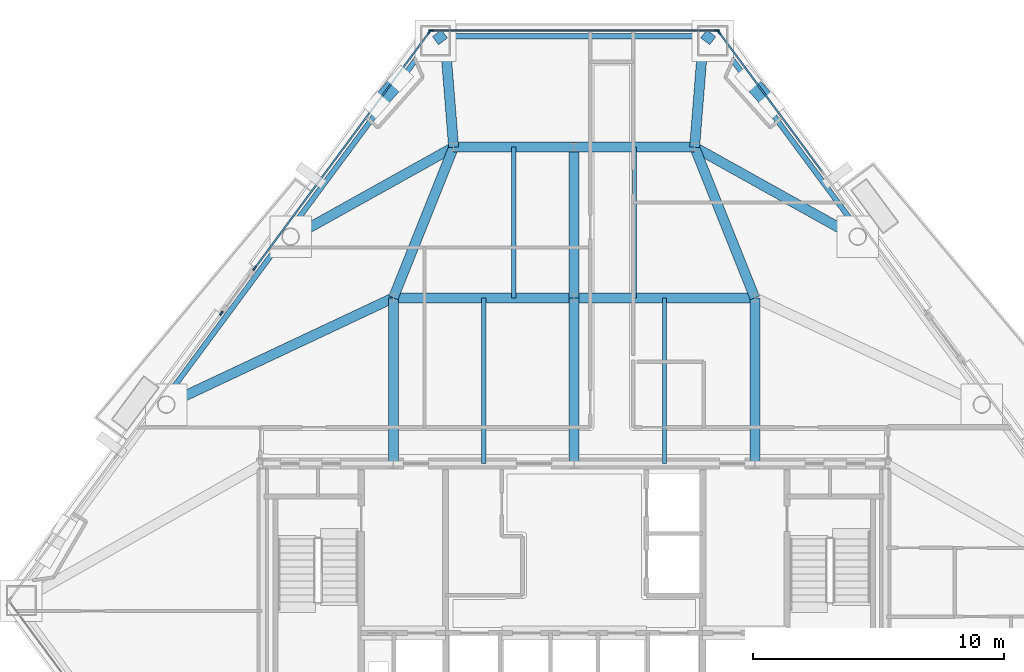
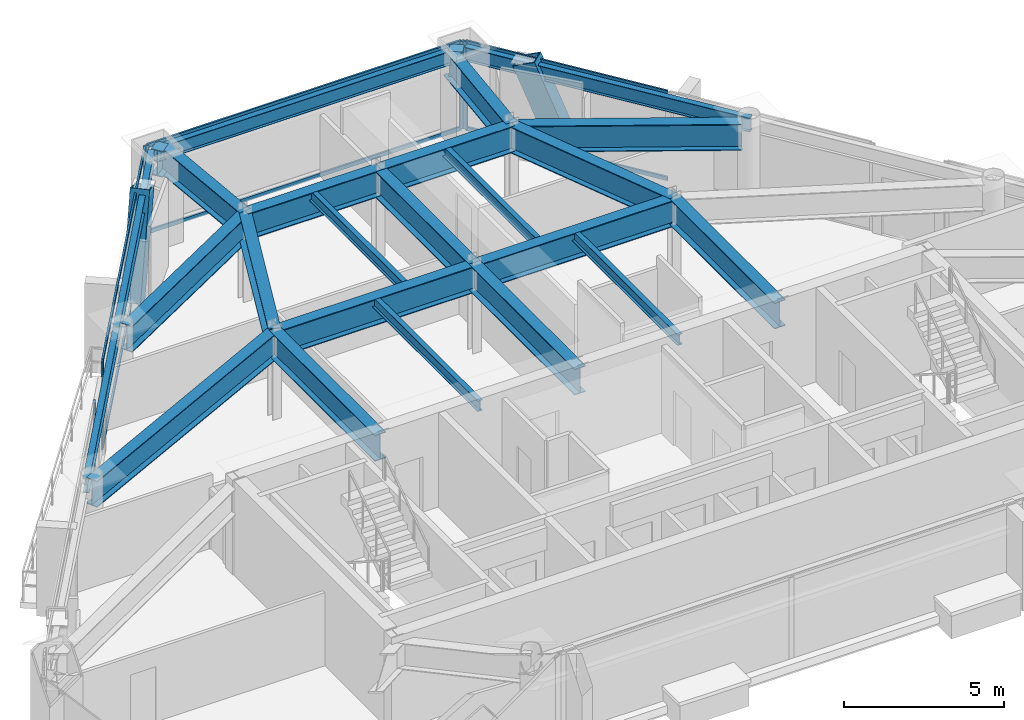
# One storey, part 4 of 11: 25 beams, 14 members, 4 elements without a shape of their own.
"""IFC4 building model written with IfcOpenShell, lengths in metres."""

from ifc_helpers import new_model, si_unit, direction, frame, origin, origin_2d, place, context, subcontext, project, spatial, rectangle, hollow_rectangle, i_section, extrude, material, layer, layer_set, material_profile, profile_set, type_object, element, aggregate, save


model = new_model("IFC4")

# Units and contexts
model_context = context("Model", 3, precision=1e-05, world=origin(), true_north=direction((0.0, 1.0)))
body_context = subcontext(model_context, "Body", "Model", "MODEL_VIEW")
ifc_project = project(units=[si_unit("LENGTHUNIT", "METRE"), si_unit("AREAUNIT", "SQUARE_METRE"), si_unit("VOLUMEUNIT", "CUBIC_METRE"), si_unit("PLANEANGLEUNIT", "RADIAN"), si_unit("MASSUNIT", "GRAM", prefix="KILO")], contexts=[model_context])

# Site, building, storey
site_placement = place(None, origin())
site = spatial("IfcSite", under=ifc_project, at=site_placement, CompositionType="ELEMENT")
building_placement = place(site_placement, origin())
building = spatial("IfcBuilding", under=site, at=building_placement, Name="Talgorran Terracotta Tower", CompositionType="ELEMENT")
storey_placement = place(building_placement, frame((0.0, 0.0, 125.699951171875)))
storey = spatial("IfcBuildingStorey", under=building, at=storey_placement, Name="L32", CompositionType="ELEMENT", Elevation=125.699951171875)

# Beams
ifc_material_1 = material(Name="Steel Grade 350 (350L0)", Category="steel")
ifc_material_profile_1 = material_profile(ifc_material_1, i_section(OverallWidth=0.39990234375, OverallDepth=1.0, WebThickness=0.01611328125, FlangeThickness=0.031005859375, at=origin_2d()), Name="1000WB296")
ifc_profile_set_1 = profile_set([ifc_material_profile_1], Name="Steel Grade 350 (350L0)")
beam_type_1 = type_object("IfcBeamType", Name="BM_1000WB296", PredefinedType="BEAM", material=ifc_profile_set_1)
beam_1_placement = place(storey_placement, frame((5.5224609375, 12.641845703125, 2.85009765625), z_axis=(-0.798831046502, 0.601555449768, 0.0), x_axis=(-0.601555449768, -0.798831046502, 0.0)))
element("IfcBeam", 1, at=beam_1_placement, inside=storey, type_object=beam_type_1, Name="L32 Perimeter Step Girder 9A", PredefinedType="BEAM", context=body_context, shape_type="SweptSolid", body=[
    extrude(i_section(OverallWidth=0.39990234375, OverallDepth=1.0, WebThickness=0.01611328125, FlangeThickness=0.031005859375, at=origin_2d()), origin(), (0.0, 0.0, 1.0), 0.45166015625),
])
beam_2_placement = place(storey_placement, frame((5.16162109375, 12.91357421875, 2.85009765625), z_axis=(-0.079850226008, -0.996806872672, 0.0), x_axis=(0.996806872672, -0.079850226008, 0.0)))
element("IfcBeam", 2, at=beam_2_placement, inside=storey, type_object=beam_type_1, Name="L32 Perimeter Step Girder 9B", PredefinedType="BEAM", context=body_context, shape_type="SweptSolid", body=[
    extrude(i_section(OverallWidth=0.39990234375, OverallDepth=1.0, WebThickness=0.01611328125, FlangeThickness=0.031005859375, at=origin_2d()), origin(), (0.0, 0.0, 1.0), 4.528076171875),
])
beam_3_placement = place(storey_placement, frame((-5.5224609375, 12.641845703125, 2.85009765625), z_axis=(0.798831046502, 0.601555449768, 0.0), x_axis=(-0.601555449768, 0.798831046502, 0.0)))
element("IfcBeam", 3, at=beam_3_placement, inside=storey, type_object=beam_type_1, Name="L32 Perimeter Step Girder 10A", PredefinedType="BEAM", context=body_context, shape_type="SweptSolid", body=[
    extrude(i_section(OverallWidth=0.39990234375, OverallDepth=1.0, WebThickness=0.01611328125, FlangeThickness=0.031005859375, at=origin_2d()), origin(), (0.0, 0.0, 1.0), 0.45166015625),
])
beam_4_placement = place(storey_placement, frame((-5.16162109375, 12.91357421875, 2.85009765625), z_axis=(0.079850226008, -0.996806872672, 0.0), x_axis=(0.996806872672, 0.079850226008, 0.0)))
element("IfcBeam", 4, at=beam_4_placement, inside=storey, type_object=beam_type_1, Name="L32 Perimeter Step Girder 10B", PredefinedType="BEAM", context=body_context, shape_type="SweptSolid", body=[
    extrude(i_section(OverallWidth=0.39990234375, OverallDepth=1.0, WebThickness=0.01611328125, FlangeThickness=0.031005859375, at=origin_2d()), origin(), (0.0, 0.0, 1.0), 4.528076171875),
])
for number, where, z_axis, x_axis, name in (
    (5, (-7.199951171875, -4.199951171875, 2.85009765625), (0.0, 1.0, 0.0), (-1.0, 0.0, 0.0), "L32 Floor Girder G01"),
    (6, (0.0, -4.199951171875, 2.85009765625), (0.0, 1.0, 0.0), (-1.0, 0.0, 0.0), "L32 Floor Girder G02"),
    (7, (7.199951171875, -4.199951171875, 2.85009765625), (0.0, 1.0, 0.0), (-1.0, 0.0, 0.0), "L32 Floor Girder G03"),
):
    element("IfcBeam", number, at=place(storey_placement, frame(where, z_axis=z_axis, x_axis=x_axis)), inside=storey, type_object=beam_type_1, Name=name, PredefinedType="BEAM", context=body_context, shape_type="SweptSolid", body=[
        extrude(i_section(OverallWidth=0.39990234375, OverallDepth=1.0, WebThickness=0.01611328125, FlangeThickness=0.031005859375, at=origin_2d()), origin(), (0.0, 0.0, 1.0), 6.599853515625),
    ])
for number, where, z_axis, x_axis, name in (
    (8, (-7.199951171875, 2.39990234375, 2.85009765625), (1.0, 0.0, 0.0), (0.0, 1.0, 0.0), "L32 Floor Girder G04"),
    (9, (0.0, 2.39990234375, 2.85009765625), (1.0, 0.0, 0.0), (0.0, 1.0, 0.0), "L32 Floor Girder G05"),
):
    element("IfcBeam", number, at=place(storey_placement, frame(where, z_axis=z_axis, x_axis=x_axis)), inside=storey, type_object=beam_type_1, Name=name, PredefinedType="BEAM", context=body_context, shape_type="SweptSolid", body=[
        extrude(i_section(OverallWidth=0.39990234375, OverallDepth=1.0, WebThickness=0.01611328125, FlangeThickness=0.031005859375, at=origin_2d()), origin(), (0.0, 0.0, 1.0), 7.199951171875),
    ])
beam_5_placement = place(storey_placement, frame((-7.199951171875, 2.39990234375, 2.85009765625), z_axis=(-0.904850249914, -0.425729990992, 0.0), x_axis=(0.425729990992, -0.904850249914, 0.0)))
element("IfcBeam", 10, at=beam_5_placement, inside=storey, type_object=beam_type_1, Name="L32 Floor Girder G06", PredefinedType="BEAM", context=body_context, shape_type="SweptSolid", body=[
    extrude(i_section(OverallWidth=0.39990234375, OverallDepth=1.0, WebThickness=0.01611328125, FlangeThickness=0.031005859375, at=origin_2d()), origin(), (0.0, 0.0, 1.0), 9.99609375),
])
beam_6_placement = place(storey_placement, frame((-7.199951171875, 2.39990234375, 2.85009765625), z_axis=(0.371377648723, 0.928481901832, 0.0), x_axis=(-0.928481901832, 0.371377648723, 0.0)))
element("IfcBeam", 11, at=beam_6_placement, inside=storey, type_object=beam_type_1, Name="L32 Floor Girder G08", PredefinedType="BEAM", context=body_context, shape_type="SweptSolid", body=[
    extrude(i_section(OverallWidth=0.39990234375, OverallDepth=1.0, WebThickness=0.01611328125, FlangeThickness=0.031005859375, at=origin_2d()), origin(), (0.0, 0.0, 1.0), 6.462158203125),
])
beam_7_placement = place(storey_placement, frame((0.0, 2.39990234375, 2.85009765625), z_axis=(0.0, 1.0, 0.0), x_axis=(-1.0, 0.0, 0.0)))
element("IfcBeam", 12, at=beam_7_placement, inside=storey, type_object=beam_type_1, Name="L32 Floor Girder G09", PredefinedType="BEAM", context=body_context, shape_type="SweptSolid", body=[
    extrude(i_section(OverallWidth=0.39990234375, OverallDepth=1.0, WebThickness=0.01611328125, FlangeThickness=0.031005859375, at=origin_2d()), origin(), (0.0, 0.0, 1.0), 6.0),
])
beam_8_placement = place(storey_placement, frame((7.199951171875, 2.39990234375, 2.85009765625), z_axis=(-0.371377648723, 0.928481901832, 0.0), x_axis=(-0.928481901832, -0.371377648723, 0.0)))
element("IfcBeam", 13, at=beam_8_placement, inside=storey, type_object=beam_type_1, Name="L32 Floor Girder G10", PredefinedType="BEAM", context=body_context, shape_type="SweptSolid", body=[
    extrude(i_section(OverallWidth=0.39990234375, OverallDepth=1.0, WebThickness=0.01611328125, FlangeThickness=0.031005859375, at=origin_2d()), origin(), (0.0, 0.0, 1.0), 6.462158203125),
])
for number, where, z_axis, x_axis, name in (
    (14, (-4.800048828125, 8.39990234375, 2.85009765625), (1.0, 0.0, 0.0), (0.0, 1.0, 0.0), "L32 Floor Girder G11"),
    (15, (0.0, 8.39990234375, 2.85009765625), (1.0, 0.0, 0.0), (0.0, 1.0, 0.0), "L32 Floor Girder G12"),
):
    element("IfcBeam", number, at=place(storey_placement, frame(where, z_axis=z_axis, x_axis=x_axis)), inside=storey, type_object=beam_type_1, Name=name, PredefinedType="BEAM", context=body_context, shape_type="SweptSolid", body=[
        extrude(i_section(OverallWidth=0.39990234375, OverallDepth=1.0, WebThickness=0.01611328125, FlangeThickness=0.031005859375, at=origin_2d()), origin(), (0.0, 0.0, 1.0), 4.800048828125),
    ])
for number, where, z_axis, x_axis, name in (
    (16, (-4.800048828125, 8.39990234375, 2.85009765625), (-0.873422120385, -0.48696385864, 0.0), (0.48696385864, -0.873422120385, 0.0), "L32 Floor Girder G13"),
    (17, (4.800048828125, 8.39990234375, 2.85009765625), (0.873422120385, -0.48696385864, 0.0), (0.48696385864, 0.873422120385, 0.0), "L32 Floor Girder G14"),
):
    element("IfcBeam", number, at=place(storey_placement, frame(where, z_axis=z_axis, x_axis=x_axis)), inside=storey, type_object=beam_type_1, Name=name, PredefinedType="BEAM", context=body_context, shape_type="SweptSolid", body=[
        extrude(i_section(OverallWidth=0.39990234375, OverallDepth=1.0, WebThickness=0.01611328125, FlangeThickness=0.031005859375, at=origin_2d()), origin(), (0.0, 0.0, 1.0), 7.199951171875),
    ])
ifc_material_2 = material(Name="Steel S355 (300PLUS)", Category="steel")
ifc_material_profile_2 = material_profile(ifc_material_2, i_section(OverallWidth=0.177734375, OverallDepth=0.406494140625, WebThickness=0.0078125, FlangeThickness=0.0126953125, at=origin_2d()), Name="410UB59.7")
ifc_profile_set_2 = profile_set([ifc_material_profile_2], Name="Steel S355 (300PLUS)")
beam_type_2 = type_object("IfcBeamType", Name="BM_JS_410UB60", PredefinedType="JOIST", material=ifc_profile_set_2)
for number, where, z_axis, x_axis, name in (
    (18, (-3.60009765625, -4.199951171875, 3.146728515625), (0.0, 1.0, 0.0), (-1.0, 0.0, 0.0), "L32 Secondary Joist J01"),
    (19, (3.60009765625, -4.199951171875, 3.146728515625), (0.0, 1.0, 0.0), (-1.0, 0.0, 0.0), "L32 Secondary Joist J02"),
):
    element("IfcBeam", number, at=place(storey_placement, frame(where, z_axis=z_axis, x_axis=x_axis)), inside=storey, type_object=beam_type_2, Name=name, PredefinedType="JOIST", context=body_context, shape_type="SweptSolid", body=[
        extrude(i_section(OverallWidth=0.177734375, OverallDepth=0.406494140625, WebThickness=0.0078125, FlangeThickness=0.0126953125, at=origin_2d()), origin(), (0.0, 0.0, 1.0), 6.599853515625),
    ])
for number, where, z_axis, x_axis, name in (
    (20, (-2.39990234375, 2.39990234375, 3.146728515625), (0.0, 1.0, 0.0), (-1.0, 0.0, 0.0), "L32 Secondary Joist J03"),
    (21, (2.39990234375, 2.39990234375, 3.146728515625), (0.0, 1.0, 0.0), (-1.0, 0.0, 0.0), "L32 Secondary Joist J04"),
):
    element("IfcBeam", number, at=place(storey_placement, frame(where, z_axis=z_axis, x_axis=x_axis)), inside=storey, type_object=beam_type_2, Name=name, PredefinedType="JOIST", context=body_context, shape_type="SweptSolid", body=[
        extrude(i_section(OverallWidth=0.177734375, OverallDepth=0.406494140625, WebThickness=0.0078125, FlangeThickness=0.0126953125, at=origin_2d()), origin(), (0.0, 0.0, 1.0), 6.0),
    ])
ifc_material_profile_3 = material_profile(ifc_material_2, i_section(OverallWidth=0.209228515625, OverallDepth=0.532958984375, WebThickness=0.01025390625, FlangeThickness=0.015625, at=origin_2d()), Name="530UB92.4")
ifc_profile_set_3 = profile_set([ifc_material_profile_3], Name="Steel S355 (300PLUS)")
beam_type_3 = type_object("IfcBeamType", Name="BM_SP_530UB92", PredefinedType="SPANDREL", material=ifc_profile_set_3)
beam_9_placement = place(storey_placement, frame((11.44091796875, 4.942626953125, 3.08349609375), z_axis=(-0.594651915905, 0.803983270293, 0.0), x_axis=(-0.803983270293, -0.594651915905, 0.0)))
element("IfcBeam", 22, at=beam_9_placement, inside=storey, type_object=beam_type_3, Name="L32 Perimeter Spandrel Beam FC4-MC5", PredefinedType="SPANDREL", context=body_context, shape_type="SweptSolid", body=[
    extrude(i_section(OverallWidth=0.209228515625, OverallDepth=0.532958984375, WebThickness=0.01025390625, FlangeThickness=0.015625, at=origin_2d()), origin(), (0.0, 0.0, 1.0), 9.709228515625),
])
beam_10_placement = place(storey_placement, frame((5.5224609375, 12.822021484375, 3.08349609375), z_axis=(-1.0, 0.0, 0.0), x_axis=(0.0, -1.0, 0.0)))
element("IfcBeam", 23, at=beam_10_placement, inside=storey, type_object=beam_type_3, Name="L32 Perimeter Spandrel Beam MC5-MC6", PredefinedType="SPANDREL", context=body_context, shape_type="SweptSolid", body=[
    extrude(i_section(OverallWidth=0.209228515625, OverallDepth=0.532958984375, WebThickness=0.01025390625, FlangeThickness=0.015625, at=origin_2d()), origin(), (0.0, 0.0, 1.0), 11.044921875),
])
beam_11_placement = place(storey_placement, frame((-5.667236328125, 12.748779296875, 3.08349609375), z_axis=(-0.594651915905, -0.803983270293, 0.0), x_axis=(0.803983270293, -0.594651915905, 0.0)))
element("IfcBeam", 24, at=beam_11_placement, inside=storey, type_object=beam_type_3, Name="L32 Perimeter Spandrel Beam MC6-FC5", PredefinedType="SPANDREL", context=body_context, shape_type="SweptSolid", body=[
    extrude(i_section(OverallWidth=0.209228515625, OverallDepth=0.532958984375, WebThickness=0.01025390625, FlangeThickness=0.015625, at=origin_2d()), origin(), (0.0, 0.0, 1.0), 9.709228515625),
])
beam_12_placement = place(storey_placement, frame((-11.44091796875, 4.942626953125, 3.08349609375), z_axis=(-0.594631062308, -0.803998693866, 0.0), x_axis=(0.803998693866, -0.594631062308, 0.0)))
element("IfcBeam", 25, at=beam_12_placement, inside=storey, type_object=beam_type_3, Name="L32 Perimeter Spandrel Beam FC5-FC6", PredefinedType="SPANDREL", context=body_context, shape_type="SweptSolid", body=[
    extrude(i_section(OverallWidth=0.209228515625, OverallDepth=0.532958984375, WebThickness=0.01025390625, FlangeThickness=0.015625, at=origin_2d()), origin(), (0.0, 0.0, 1.0), 8.322265625),
])

# Members
ifc_material_profile_4 = material_profile(ifc_material_1, hollow_rectangle(XDim=0.6201171875, YDim=0.780029296875, WallThickness=0.0419921875, at=origin_2d()), Name="WBOX780X620X42")
ifc_profile_set_4 = profile_set([ifc_material_profile_4], Name="Steel Grade 350 (350L0)")
member_type_1 = type_object("IfcMemberType", Name="MB_MEGA_780", PredefinedType="BRACE", material=ifc_profile_set_4)
for number, where, z_axis, x_axis, name in (
    (26, (7.8662109375, 10.078369140625, -0.02490234375), (-0.255498825181, 0.286267435325, 0.923456174273), (-0.746063368964, -0.66587495034, 0.0), "L32 Exterior Face Mega-Brace MB-2 (NEU)"),
    (27, (-7.8662109375, 10.078369140625, -0.02490234375), (0.255498825181, 0.286267435325, 0.923456174273), (-0.746063368964, 0.66587495034, 0.0), "L32 Exterior Face Mega-Brace MB-2 (NWU)"),
):
    element("IfcMember", number, at=place(storey_placement, frame(where, z_axis=z_axis, x_axis=x_axis)), inside=storey, type_object=member_type_1, Name=name, PredefinedType="BRACE", context=body_context, shape_type="SweptSolid", body=[
        extrude(hollow_rectangle(XDim=0.6201171875, YDim=0.780029296875, WallThickness=0.0419921875, at=origin_2d()), origin(), (0.0, 0.0, 1.0), 3.681640625),
    ])

# Curtain wall, member
ifc_material_3 = material(Name="Unitised Low-E Double Glazing", Category="glass")
ifc_layer = layer(ifc_material_3, 0.199951171875, Name="CW_SYS2_RES_LOW")
ifc_layer_set = layer_set([ifc_layer], Name="Unitised Low-E Double Glazing")
curtain_wall_type = type_object("IfcCurtainWallType", Name="CW_SYS2_RES_LOW", PredefinedType="NOTDEFINED", material=ifc_layer_set)
curtain_wall_1_placement = place(storey_placement, origin())
curtain_wall_1 = element("IfcCurtainWall", 28, at=curtain_wall_1_placement, inside=storey, type_object=curtain_wall_type, Name="CW-L32-F41", PredefinedType="NOTDEFINED")
ifc_material_4 = material(Name="Architectural Aluminium 6063-T6", Category="aluminium")
ifc_material_profile_5 = material_profile(ifc_material_4, rectangle(XDim=0.06494140625, YDim=0.18505859375, at=origin_2d()), Name="CWM65X185")
ifc_profile_set_5 = profile_set([ifc_material_profile_5], Name="Architectural Aluminium 6063-T6")
member_type_2 = type_object("IfcMemberType", Name="MUL_65X185", PredefinedType="MULLION", material=ifc_profile_set_5)
member_1_placement = place(storey_placement, frame((5.767333984375, 12.983642578125, 0.0), z_axis=(0.0, 0.0, 1.0), x_axis=(-0.803995837015, -0.594634925027, 0.0)))
member_1 = element("IfcMember", 29, at=member_1_placement, type_object=member_type_2, Name="CW-L32-41 mullion 3", PredefinedType="MULLION", context=body_context, shape_type="SweptSolid", body=[
    extrude(rectangle(XDim=0.06494140625, YDim=0.18505859375, at=origin_2d()), origin(), (0.0, 0.0, 1.0), 3.35009765625),
])

# Curtain wall, members
curtain_wall_2_placement = place(storey_placement, origin())
curtain_wall_2 = element("IfcCurtainWall", 30, at=curtain_wall_2_placement, inside=storey, type_object=curtain_wall_type, Name="CW-L32-F4", PredefinedType="NOTDEFINED")
member_2_placement = place(storey_placement, frame((5.691650390625, 13.0419921875, 0.0), z_axis=(0.0, 0.0, 1.0), x_axis=(0.0, -1.0, 0.0)))
member_2 = element("IfcMember", 31, at=member_2_placement, type_object=member_type_2, Name="CW-L32-4 mullion 1", PredefinedType="MULLION", context=body_context, shape_type="SweptSolid", body=[
    extrude(rectangle(XDim=0.06494140625, YDim=0.18505859375, at=origin_2d()), origin(), (0.0, 0.0, 1.0), 3.35009765625),
])
member_3_placement = place(storey_placement, frame((-5.691650390625, 13.0419921875, 0.0), z_axis=(0.0, 0.0, 1.0), x_axis=(0.0, -1.0, 0.0)))
member_3 = element("IfcMember", 32, at=member_3_placement, type_object=member_type_2, Name="CW-L32-4 mullion 2", PredefinedType="MULLION", context=body_context, shape_type="SweptSolid", body=[
    extrude(rectangle(XDim=0.06494140625, YDim=0.18505859375, at=origin_2d()), origin(), (0.0, 0.0, 1.0), 3.35009765625),
])

curtain_wall_3_placement = place(storey_placement, origin())
curtain_wall_3 = element("IfcCurtainWall", 33, at=curtain_wall_3_placement, inside=storey, type_object=curtain_wall_type, Name="CW-L32-F60", PredefinedType="NOTDEFINED")
member_4_placement = place(storey_placement, frame((-5.767333984375, 12.983642578125, 0.0), z_axis=(0.0, 0.0, 1.0), x_axis=(0.803994012759, -0.594637391565, 0.0)))
member_4 = element("IfcMember", 34, at=member_4_placement, type_object=member_type_2, Name="CW-L32-60 mullion 1", PredefinedType="MULLION", context=body_context, shape_type="SweptSolid", body=[
    extrude(rectangle(XDim=0.06494140625, YDim=0.18505859375, at=origin_2d()), origin(), (0.0, 0.0, 1.0), 3.35009765625),
])
member_5_placement = place(storey_placement, frame((-12.725830078125, 3.5751953125, 0.0), z_axis=(0.0, 0.0, 1.0), x_axis=(0.803994012759, -0.594637391565, 0.0)))
member_5 = element("IfcMember", 35, at=member_5_placement, type_object=member_type_2, Name="CW-L32-60 mullion 2", PredefinedType="MULLION", context=body_context, shape_type="SweptSolid", body=[
    extrude(rectangle(XDim=0.06494140625, YDim=0.18505859375, at=origin_2d()), origin(), (0.0, 0.0, 1.0), 3.35009765625),
])

# Curtain wall, member
curtain_wall_4_placement = place(storey_placement, origin())
curtain_wall_4 = element("IfcCurtainWall", 36, at=curtain_wall_4_placement, inside=storey, type_object=curtain_wall_type, Name="CW-L32-F61", PredefinedType="NOTDEFINED")
member_6_placement = place(storey_placement, frame((-14.048828125, 1.786376953125, 0.0), z_axis=(0.0, 0.0, 1.0), x_axis=(0.80399400566, -0.594637401163, 0.0)))
member_6 = element("IfcMember", 37, at=member_6_placement, type_object=member_type_2, Name="CW-L32-61 mullion 1", PredefinedType="MULLION", context=body_context, shape_type="SweptSolid", body=[
    extrude(rectangle(XDim=0.06494140625, YDim=0.18505859375, at=origin_2d()), origin(), (0.0, 0.0, 1.0), 3.35009765625),
])
aggregate(curtain_wall_4, [member_6])

# Member
ifc_material_profile_6 = material_profile(ifc_material_4, rectangle(XDim=0.06494140625, YDim=0.14990234375, at=origin_2d()), Name="CWT65X150")
ifc_profile_set_6 = profile_set([ifc_material_profile_6], Name="Architectural Aluminium 6063-T6")
member_type_3 = type_object("IfcMemberType", Name="TRN_65X150", PredefinedType="USERDEFINED", material=ifc_profile_set_6)
member_7_placement = place(storey_placement, frame((9.872802734375, 7.4326171875, 0.032470703125), z_axis=(-0.594631782109, 0.803998161506, 0.0), x_axis=(-0.803998161506, -0.594631782109, 0.0)))
member_7 = element("IfcMember", 38, at=member_7_placement, type_object=member_type_3, Name="CW-L32-41 transom 2.1", ObjectType="TRANSOM", PredefinedType="USERDEFINED", context=body_context, shape_type="SweptSolid", body=[
    extrude(rectangle(XDim=0.06494140625, YDim=0.14990234375, at=origin_2d()), origin(), (0.0, 0.0, 1.0), 6.871826171875),
])

member_8_placement = place(storey_placement, frame((9.872802734375, 7.4326171875, 3.317626953125), z_axis=(-0.594631782109, 0.803998161506, 0.0), x_axis=(-0.803998161506, -0.594631782109, 0.0)))
member_8 = element("IfcMember", 39, at=member_8_placement, type_object=member_type_3, Name="CW-L32-41 transom 2.2", ObjectType="TRANSOM", PredefinedType="USERDEFINED", context=body_context, shape_type="SweptSolid", body=[
    extrude(rectangle(XDim=0.06494140625, YDim=0.14990234375, at=origin_2d()), origin(), (0.0, 0.0, 1.0), 6.871826171875),
])

aggregate(curtain_wall_1, [member_1, member_7, member_8])

member_9_placement = place(storey_placement, frame((5.6591796875, 13.0419921875, 0.032470703125), z_axis=(-1.0, 0.0, 0.0), x_axis=(0.0, -1.0, 0.0)))
member_9 = element("IfcMember", 40, at=member_9_placement, type_object=member_type_3, Name="CW-L32-4 transom 1.1", ObjectType="TRANSOM", PredefinedType="USERDEFINED", context=body_context, shape_type="SweptSolid", body=[
    extrude(rectangle(XDim=0.06494140625, YDim=0.14990234375, at=origin_2d()), origin(), (0.0, 0.0, 1.0), 11.318359375),
])

member_10_placement = place(storey_placement, frame((5.6591796875, 13.0419921875, 3.317626953125), z_axis=(-1.0, 0.0, 0.0), x_axis=(0.0, -1.0, 0.0)))
member_10 = element("IfcMember", 41, at=member_10_placement, type_object=member_type_3, Name="CW-L32-4 transom 1.2", ObjectType="TRANSOM", PredefinedType="USERDEFINED", context=body_context, shape_type="SweptSolid", body=[
    extrude(rectangle(XDim=0.06494140625, YDim=0.14990234375, at=origin_2d()), origin(), (0.0, 0.0, 1.0), 11.318359375),
])

aggregate(curtain_wall_2, [member_2, member_3, member_9, member_10])

member_11_placement = place(storey_placement, frame((-5.78662109375, 12.95751953125, 0.032470703125), z_axis=(-0.594639374156, -0.803992546422, 0.0), x_axis=(0.803992546422, -0.594639374156, 0.0)))
member_11 = element("IfcMember", 42, at=member_11_placement, type_object=member_type_3, Name="CW-L32-60 transom 1.1", ObjectType="TRANSOM", PredefinedType="USERDEFINED", context=body_context, shape_type="SweptSolid", body=[
    extrude(rectangle(XDim=0.06494140625, YDim=0.14990234375, at=origin_2d()), origin(), (0.0, 0.0, 1.0), 11.63720703125),
])

member_12_placement = place(storey_placement, frame((-5.78662109375, 12.95751953125, 3.317626953125), z_axis=(-0.594639374156, -0.803992546422, 0.0), x_axis=(0.803992546422, -0.594639374156, 0.0)))
member_12 = element("IfcMember", 43, at=member_12_placement, type_object=member_type_3, Name="CW-L32-60 transom 1.2", ObjectType="TRANSOM", PredefinedType="USERDEFINED", context=body_context, shape_type="SweptSolid", body=[
    extrude(rectangle(XDim=0.06494140625, YDim=0.14990234375, at=origin_2d()), origin(), (0.0, 0.0, 1.0), 11.63720703125),
])

aggregate(curtain_wall_3, [member_4, member_5, member_11, member_12])

save(model, "model.ifc")
